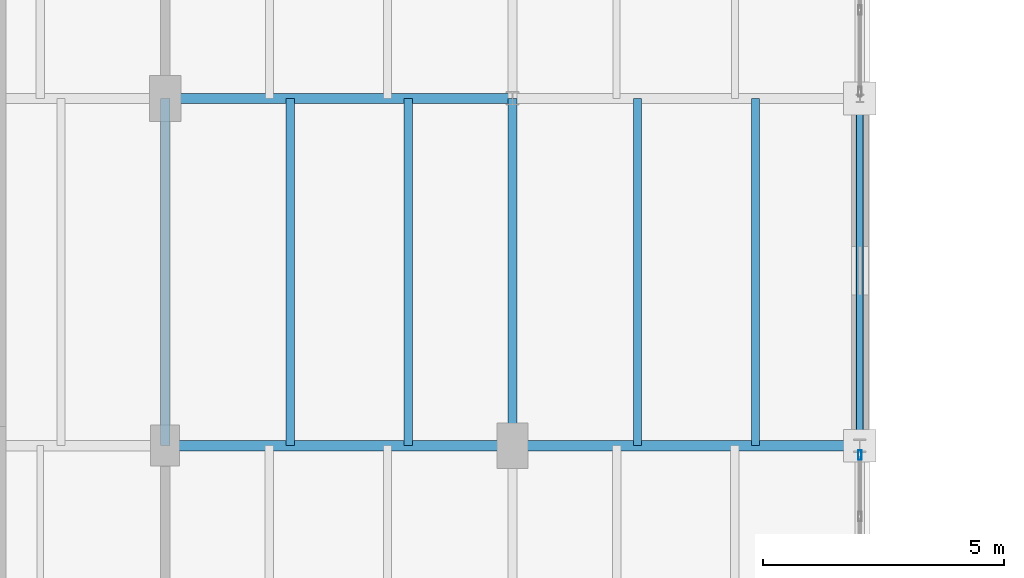
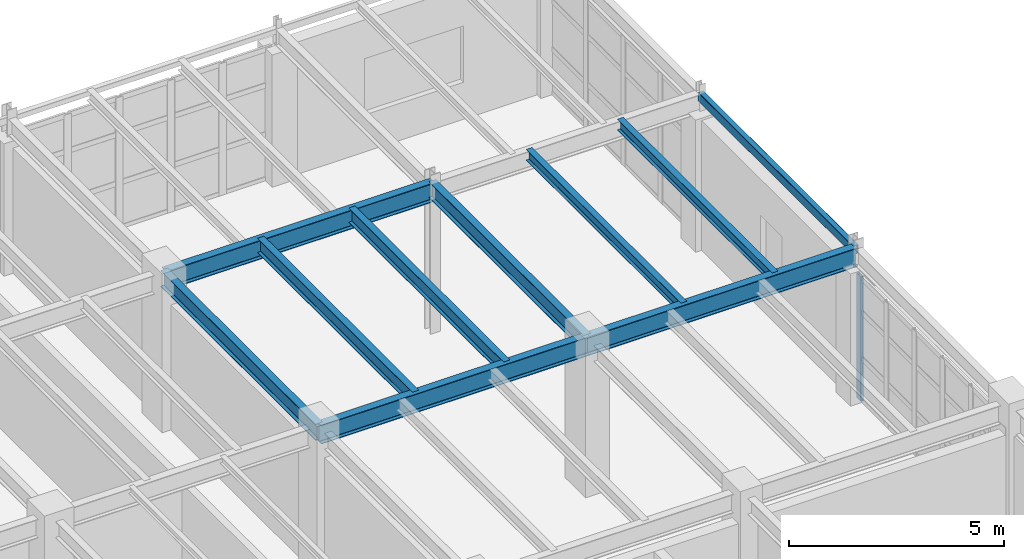
# One storey, part 105 of 137: 10 beams, 1 member, 1 element without a shape of its own.
"""IFC4 building model written with IfcOpenShell, lengths in metres."""

from ifc_helpers import new_model, si_unit, direction, frame, origin, origin_2d, place, context, subcontext, project, spatial, hollow_rectangle, i_section, extrude, material, layer, layer_set, material_profile, profile_set, type_object, element, aggregate, save


model = new_model("IFC4")

# Units and contexts
model_context = context("Model", 3, precision=1e-05, world=origin(), true_north=direction((0.0, 1.0)))
body_context = subcontext(model_context, "Body", "Model", "MODEL_VIEW")
ifc_project = project(units=[si_unit("LENGTHUNIT", "METRE"), si_unit("AREAUNIT", "SQUARE_METRE"), si_unit("VOLUMEUNIT", "CUBIC_METRE"), si_unit("PLANEANGLEUNIT", "RADIAN"), si_unit("MASSUNIT", "GRAM", prefix="KILO")], contexts=[model_context])

# Site, building, storey
site_placement = place(None, origin())
site = spatial("IfcSite", under=ifc_project, at=site_placement, CompositionType="ELEMENT")
building_placement = place(site_placement, origin())
building = spatial("IfcBuilding", under=site, at=building_placement, Name="Kemerveld Promenade Tramway Depot", CompositionType="ELEMENT")
storey_placement = place(building_placement, frame((0.0, 0.0, 5.39990234375)))
storey = spatial("IfcBuildingStorey", under=building, at=storey_placement, Name="L01", CompositionType="ELEMENT", Elevation=5.39990234375)

# Beams
ifc_material_1 = material(Name="Steel S355", Category="steel")
ifc_material_profile_1 = material_profile(ifc_material_1, i_section(OverallWidth=0.2099609375, OverallDepth=0.53662109375, WebThickness=0.0107421875, FlangeThickness=0.017333984375, FilletRadius=0.0126953125, at=origin_2d()), Name="533x210x101 UB")
ifc_profile_set_1 = profile_set([ifc_material_profile_1], Name="Steel S355")
beam_type_1 = type_object("IfcBeamType", Name="BM-G05", PredefinedType="BEAM", material=ifc_profile_set_1)
for number, where, z_axis, x_axis, name in (
    (1, (144.0, 64.800048828125, 3.9716796875), (1.0, 0.0, 0.0), (0.0, 1.0, 0.0), "BMX-L01-21-22-K"),
    (2, (151.199951171875, 64.800048828125, 3.9716796875), (1.0, 0.0, 0.0), (0.0, 1.0, 0.0), "BMX-L01-22-23-K"),
    (3, (144.0, 72.0, 3.9716796875), (1.0, 0.0, 0.0), (0.0, 1.0, 0.0), "BMX-L01-21-22-L"),
):
    element("IfcBeam", number, at=place(storey_placement, frame(where, z_axis=z_axis, x_axis=x_axis)), inside=storey, type_object=beam_type_1, Name=name, PredefinedType="BEAM", context=body_context, shape_type="SweptSolid", body=[
        extrude(i_section(OverallWidth=0.2099609375, OverallDepth=0.53662109375, WebThickness=0.0107421875, FlangeThickness=0.017333984375, FilletRadius=0.0126953125, at=origin_2d()), origin(), (0.0, 0.0, 1.0), 7.199951171875),
    ])
ifc_material_profile_2 = material_profile(ifc_material_1, i_section(OverallWidth=0.19140625, OverallDepth=0.4599609375, WebThickness=0.010009765625, FlangeThickness=0.01611328125, FilletRadius=0.01025390625, at=origin_2d()), Name="457x191x82 UB")
ifc_profile_set_2 = profile_set([ifc_material_profile_2], Name="Steel S355")
beam_type_2 = type_object("IfcBeamType", Name="BM-G06", PredefinedType="BEAM", material=ifc_profile_set_2)
for number, where, z_axis, x_axis, name in (
    (4, (144.0, 64.800048828125, 4.010009765625), (0.0, 1.0, 0.0), (-1.0, 0.0, 0.0), "BMY-L01-21-K-L"),
    (5, (151.199951171875, 64.800048828125, 4.010009765625), (0.0, 1.0, 0.0), (-1.0, 0.0, 0.0), "BMY-L01-22-K-L"),
):
    element("IfcBeam", number, at=place(storey_placement, frame(where, z_axis=z_axis, x_axis=x_axis)), inside=storey, type_object=beam_type_2, Name=name, PredefinedType="BEAM", context=body_context, shape_type="SweptSolid", body=[
        extrude(i_section(OverallWidth=0.19140625, OverallDepth=0.4599609375, WebThickness=0.010009765625, FlangeThickness=0.01611328125, FilletRadius=0.01025390625, at=origin_2d()), origin(), (0.0, 0.0, 1.0), 7.199951171875),
    ])
ifc_material_profile_3 = material_profile(ifc_material_1, i_section(OverallWidth=0.165771484375, OverallDepth=0.306640625, WebThickness=0.006591796875, FlangeThickness=0.01171875, FilletRadius=0.0087890625, at=origin_2d()), Name="305x165x46 UB")
ifc_profile_set_3 = profile_set([ifc_material_profile_3], Name="Steel S355")
beam_type_3 = type_object("IfcBeamType", Name="BM-J01", PredefinedType="JOIST", material=ifc_profile_set_3)
for number, where, z_axis, x_axis, name in (
    (6, (153.7919921875, 64.800048828125, 4.0869140625), (0.0, 1.0, 0.0), (-1.0, 0.0, 0.0), "JST-L01-22-K-1"),
    (7, (156.239990234375, 64.800048828125, 4.0869140625), (0.0, 1.0, 0.0), (-1.0, 0.0, 0.0), "JST-L01-22-K-2"),
):
    element("IfcBeam", number, at=place(storey_placement, frame(where, z_axis=z_axis, x_axis=x_axis)), inside=storey, type_object=beam_type_3, Name=name, PredefinedType="JOIST", context=body_context, shape_type="SweptSolid", body=[
        extrude(i_section(OverallWidth=0.165771484375, OverallDepth=0.306640625, WebThickness=0.006591796875, FlangeThickness=0.01171875, FilletRadius=0.0087890625, at=origin_2d()), origin(), (0.0, 0.0, 1.0), 7.199951171875),
    ])
ifc_material_profile_4 = material_profile(ifc_material_1, i_section(OverallWidth=0.1787109375, OverallDepth=0.409423828125, WebThickness=0.0087890625, FlangeThickness=0.014404296875, FilletRadius=0.01025390625, at=origin_2d()), Name="406x178x67 UB")
ifc_profile_set_4 = profile_set([ifc_material_profile_4], Name="Steel S355")
beam_type_4 = type_object("IfcBeamType", Name="BM-J05", PredefinedType="JOIST", material=ifc_profile_set_4)
for number, where, z_axis, x_axis, name in (
    (8, (146.592041015625, 64.800048828125, 4.035400390625), (0.0, 1.0, 0.0), (-1.0, 0.0, 0.0), "JST-L01-21-K-1"),
    (9, (149.0400390625, 64.800048828125, 4.035400390625), (0.0, 1.0, 0.0), (-1.0, 0.0, 0.0), "JST-L01-21-K-2"),
):
    element("IfcBeam", number, at=place(storey_placement, frame(where, z_axis=z_axis, x_axis=x_axis)), inside=storey, type_object=beam_type_4, Name=name, PredefinedType="JOIST", context=body_context, shape_type="SweptSolid", body=[
        extrude(i_section(OverallWidth=0.1787109375, OverallDepth=0.409423828125, WebThickness=0.0087890625, FlangeThickness=0.014404296875, FilletRadius=0.01025390625, at=origin_2d()), origin(), (0.0, 0.0, 1.0), 7.199951171875),
    ])
ifc_material_profile_5 = material_profile(ifc_material_1, hollow_rectangle(XDim=0.14990234375, YDim=0.25, WallThickness=0.010009765625, InnerFilletRadius=0.0048828125, OuterFilletRadius=0.014892578125, at=origin_2d()), Name="250x150x10.0 RHS")
ifc_profile_set_5 = profile_set([ifc_material_profile_5], Name="Steel S355")
beam_type_5 = type_object("IfcBeamType", Name="BM-SP2", PredefinedType="SPANDREL", material=ifc_profile_set_5)
beam_placement = place(storey_placement, frame((158.39990234375, 64.800048828125, 4.114990234375), z_axis=(0.0, 1.0, 0.0), x_axis=(-1.0, 0.0, 0.0)))
element("IfcBeam", 10, at=beam_placement, inside=storey, type_object=beam_type_5, Name="BMY-L01-23-K-L", PredefinedType="SPANDREL", context=body_context, shape_type="SweptSolid", body=[
    extrude(hollow_rectangle(XDim=0.14990234375, YDim=0.25, WallThickness=0.010009765625, InnerFilletRadius=0.0048828125, OuterFilletRadius=0.014892578125, at=origin_2d()), origin(), (0.0, 0.0, 1.0), 7.199951171875),
])

# Curtain wall, member
ifc_material_2 = material(Name="Bronze anodised aluminium and solar glass", Category="aluminium")
ifc_layer = layer(ifc_material_2, 0.199951171875)
ifc_layer_set = layer_set([ifc_layer], Name="CW-SYS-06")
curtain_wall_type = type_object("IfcCurtainWallType", Name="CW-SYS-06", PredefinedType="USERDEFINED", material=ifc_layer_set)
curtain_wall_placement = place(storey_placement, origin())
curtain_wall = element("IfcCurtainWall", 11, at=curtain_wall_placement, inside=storey, type_object=curtain_wall_type, Name="CW-L01-V3E-03", ObjectType="GLAZED_CURTAIN_WALL", PredefinedType="USERDEFINED")
ifc_material_3 = material(Name="Bronze anodised aluminium", Category="aluminium")
ifc_material_profile_6 = material_profile(ifc_material_3, hollow_rectangle(XDim=0.074951171875, YDim=0.199951171875, WallThickness=0.0048828125, InnerFilletRadius=0.001953125, OuterFilletRadius=0.0048828125, at=origin_2d()), Name="CW-MUL-200x75")
ifc_profile_set_6 = profile_set([ifc_material_profile_6], Name="Bronze anodised aluminium")
member_type = type_object("IfcMemberType", Name="CW-MUL-B", PredefinedType="MULLION", material=ifc_profile_set_6)
member_placement = place(storey_placement, frame((158.39990234375, 64.604248046875, 0.0), z_axis=(0.0, 0.0, 1.0), x_axis=(1.0, 0.0, 0.0)))
member = element("IfcMember", 12, at=member_placement, type_object=member_type, Name="CW06 mullion 1", PredefinedType="MULLION", context=body_context, shape_type="SweptSolid", body=[
    extrude(hollow_rectangle(XDim=0.074951171875, YDim=0.199951171875, WallThickness=0.0048828125, InnerFilletRadius=0.001953125, OuterFilletRadius=0.0048828125, at=origin_2d()), origin(), (0.0, 0.0, 1.0), 3.53271484375),
])
aggregate(curtain_wall, [member])

save(model, "model.ifc")
